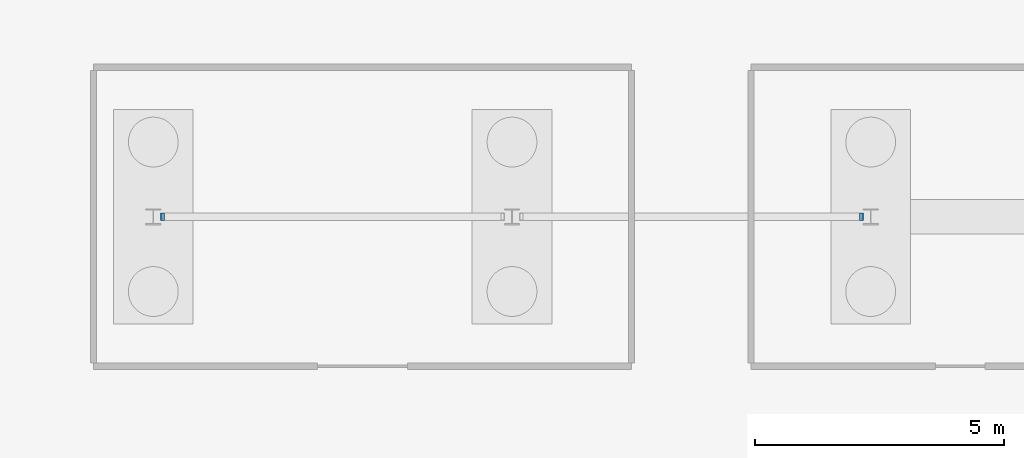
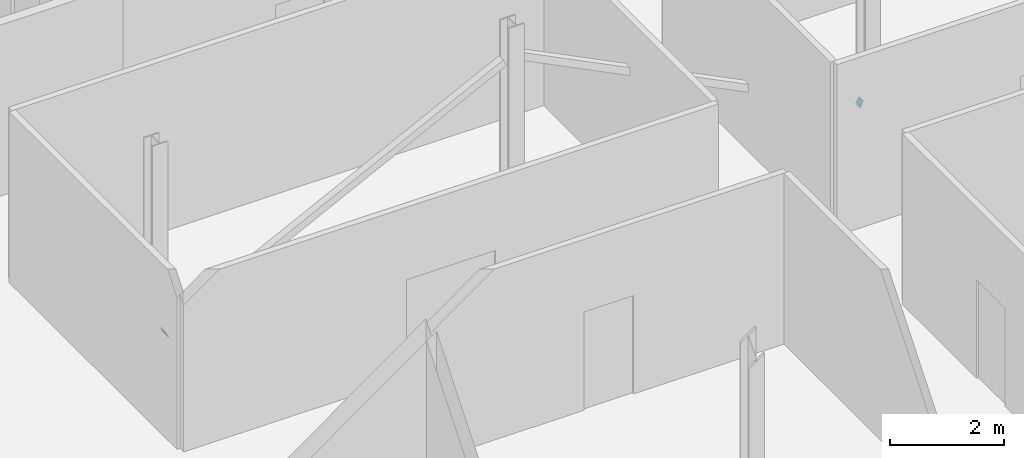
# One storey, part 99 of 139: 2 discrete accessories.
"""IFC4 building model written with IfcOpenShell, lengths in metres."""

from ifc_helpers import new_model, si_unit, direction, frame, origin, origin_2d, place, context, subcontext, project, spatial, rectangle, extrude, material, material_profile, profile_set, type_object, element, save


model = new_model("IFC4")

# Units and contexts
model_context = context("Model", 3, precision=1e-05, world=origin(), true_north=direction((0.0, 1.0)))
body_context = subcontext(model_context, "Body", "Model", "MODEL_VIEW")
ifc_project = project(units=[si_unit("LENGTHUNIT", "METRE"), si_unit("AREAUNIT", "SQUARE_METRE"), si_unit("VOLUMEUNIT", "CUBIC_METRE"), si_unit("PLANEANGLEUNIT", "RADIAN"), si_unit("MASSUNIT", "GRAM", prefix="KILO")], contexts=[model_context])

# Site, building, storey
site_placement = place(None, origin())
site = spatial("IfcSite", under=ifc_project, at=site_placement, CompositionType="ELEMENT")
building_placement = place(site_placement, origin())
building = spatial("IfcBuilding", under=site, at=building_placement, Name="Verrick Yard Athletic Hall", CompositionType="ELEMENT")
storey_placement = place(building_placement, origin())
storey = spatial("IfcBuildingStorey", under=building, at=storey_placement, Name="L00", CompositionType="ELEMENT", Elevation=0.0)

# Discrete accessories
ifc_material = material(Name="Structural steel 350W (CSA G40.21)", Category="steel")
ifc_material_profile = material_profile(ifc_material, rectangle(XDim=0.15234375, YDim=0.15234375, at=origin_2d()), Name="STR End cap plate 152x152x9.5")
ifc_profile_set = profile_set([ifc_material_profile], Name="Structural steel 350W (CSA G40.21)")
discrete_accessory_type = type_object("IfcDiscreteAccessoryType", Name="STR End cap plate 152x152x9.5", PredefinedType="BRACKET", material=ifc_profile_set)
for number, where, z_axis, x_axis, name in (
    (1, (32.6123046875, 36.0, 0.216552734375), (0.899235088746, 0.0, -0.437465718849), (0.0, 1.0, 0.0), "End cap STR-BR-W2-L00 B"),
    (2, (18.57861328125, 36.0, 0.212158203125), (0.899235088746, 0.0, 0.437465718849), (0.0, 1.0, 0.0), "End cap STR-BR-W1-L00 A"),
):
    element("IfcDiscreteAccessory", number, at=place(storey_placement, frame(where, z_axis=z_axis, x_axis=x_axis)), inside=storey, type_object=discrete_accessory_type, Name=name, PredefinedType="BRACKET", context=body_context, shape_type="SweptSolid", body=[
        extrude(rectangle(XDim=0.15234375, YDim=0.15234375, at=origin_2d()), origin(), (0.0, 0.0, 1.0), 0.010009765625),
    ])

save(model, "model.ifc")
